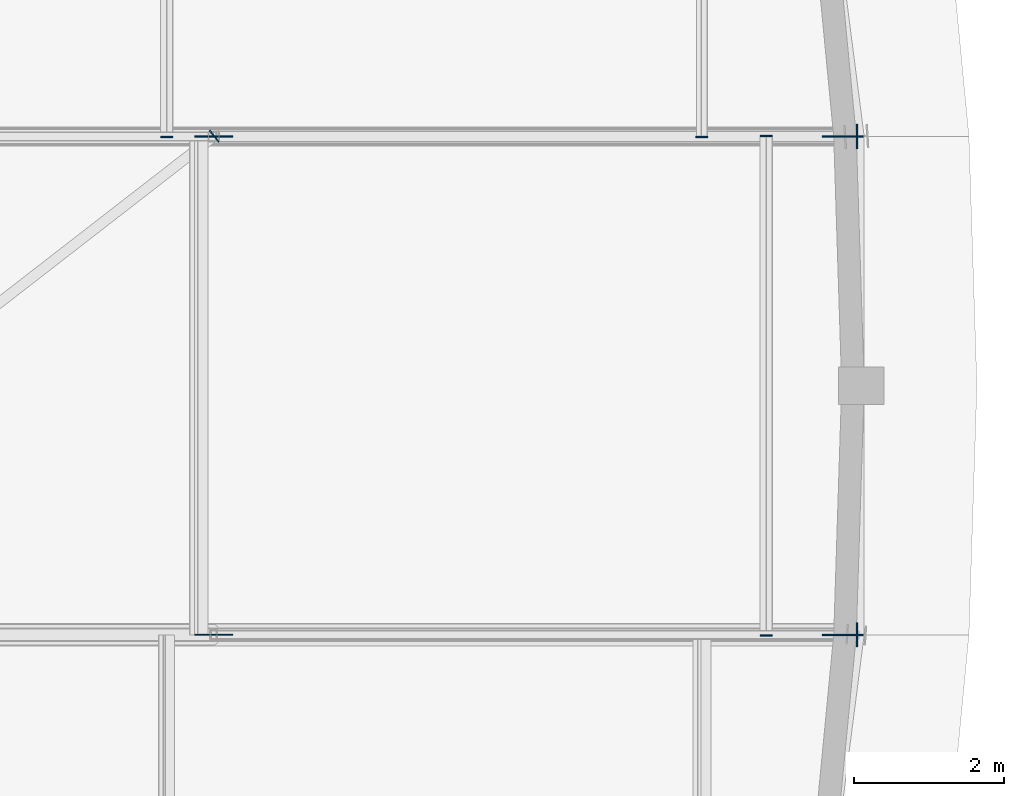
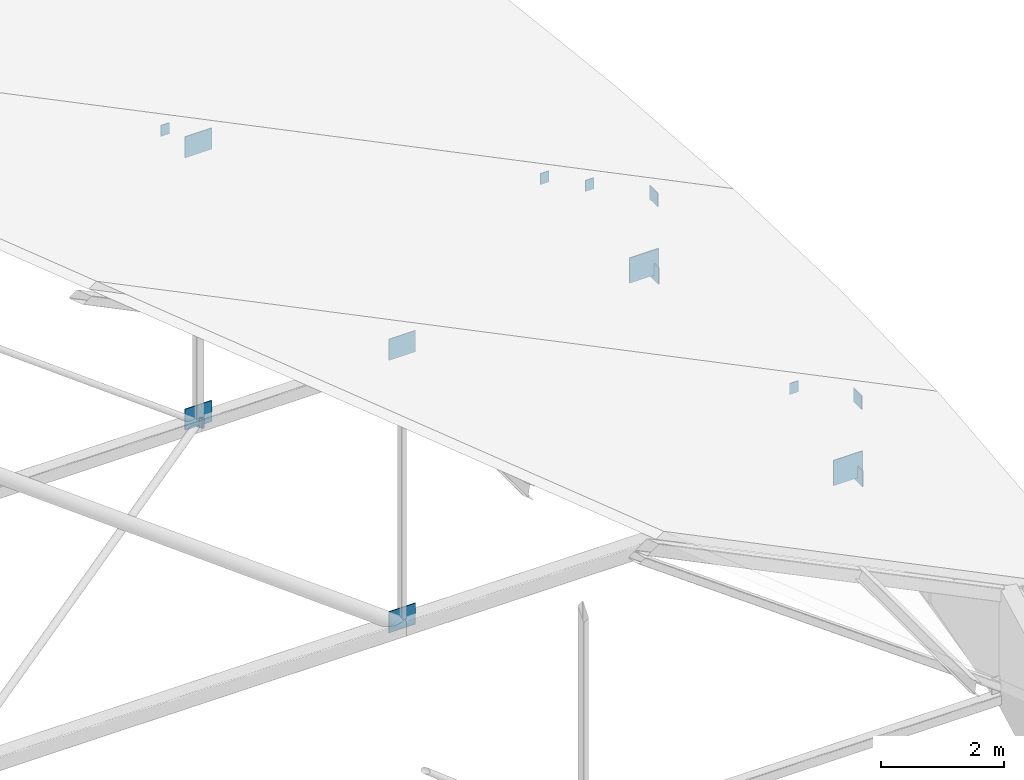
# One storey, part 55 of 78: 15 plates.
"""IFC4 building model written with IfcOpenShell, lengths in metres."""

from ifc_helpers import new_model, si_unit, direction, frame, origin, origin_2d, place, context, subcontext, project, spatial, rectangle, extrude, material, layer, layer_set, type_object, element, save


model = new_model("IFC4")

# Units and contexts
model_context = context("Model", 3, precision=1e-05, world=origin(), true_north=direction((0.0, 1.0)))
body_context = subcontext(model_context, "Body", "Model", "MODEL_VIEW")
ifc_project = project(units=[si_unit("LENGTHUNIT", "METRE"), si_unit("AREAUNIT", "SQUARE_METRE"), si_unit("VOLUMEUNIT", "CUBIC_METRE"), si_unit("PLANEANGLEUNIT", "RADIAN"), si_unit("MASSUNIT", "GRAM", prefix="KILO")], contexts=[model_context])

# Site, building, storey
site_placement = place(None, origin())
site = spatial("IfcSite", under=ifc_project, at=site_placement, CompositionType="ELEMENT")
building_placement = place(site_placement, origin())
building = spatial("IfcBuilding", under=site, at=building_placement, Name="Kelanivale Promenade Academy", CompositionType="ELEMENT")
storey_placement = place(building_placement, frame((0.0, 0.0, 16.199951171875)))
storey = spatial("IfcBuildingStorey", under=building, at=storey_placement, Name="L04", CompositionType="ELEMENT", Elevation=16.199951171875)

# Plates
ifc_material = material(Name="Steel S355", Category="steel")
ifc_layer_1 = layer(ifc_material, 0.01611328125)
ifc_layer_set_1 = layer_set([ifc_layer_1], Name="Steel S355")
plate_type_1 = type_object("IfcPlateType", Name="TN-CP16 Plate 16mm", PredefinedType="USERDEFINED", material=ifc_layer_set_1)
for number, where, z_axis, x_axis, name in (
    (1, (156.302001953125, 52.885986328125, 1.55908203125), (0.0, 0.0, 1.0), (1.0, 0.0, 0.0), "ROOF TRUSS TN-5 hollow-section end cap plate"),
    (2, (156.302001953125, 59.513916015625, 1.55908203125), (0.0, 0.0, 1.0), (1.0, 0.0, 0.0), "ROOF TRUSS TN-5 hollow-section end cap plate"),
):
    element("IfcPlate", number, at=place(storey_placement, frame(where, z_axis=z_axis, x_axis=x_axis)), inside=storey, type_object=plate_type_1, Name=name, ObjectType="CAP PLATE", PredefinedType="USERDEFINED", context=body_context, shape_type="SweptSolid", body=[
        extrude(rectangle(XDim=0.01611328125, YDim=0.27001953125, at=origin_2d()), origin(), (0.0, 0.0, 1.0), 0.27001953125),
    ])
for number, where, z_axis, x_axis, name in (
    (3, (155.093994140625, 52.8779296875, 2.23388671875), (0.0, 0.0, 1.0), (0.0, -1.0, 0.0), "ROOF TRUSS TN-4 hollow-section end cap plate"),
    (4, (155.093994140625, 59.52197265625, 2.23388671875), (0.0, 0.0, 1.0), (0.0, 1.0, 0.0), "ROOF TRUSS TN-4 hollow-section end cap plate"),
):
    element("IfcPlate", number, at=place(storey_placement, frame(where, z_axis=z_axis, x_axis=x_axis)), inside=storey, type_object=plate_type_1, Name=name, ObjectType="CAP PLATE", PredefinedType="USERDEFINED", context=body_context, shape_type="SweptSolid", body=[
        extrude(rectangle(XDim=0.01611328125, YDim=0.159912109375, at=origin_2d()), origin(), (0.0, 0.0, 1.0), 0.219970703125),
    ])
plate_placement = place(storey_placement, frame((147.7529296875, 59.51904296875, 0.10009765625), z_axis=(0.0, 0.0, 1.0), x_axis=(0.790261972801, 0.612769136253, 0.0)))
element("IfcPlate", 5, at=plate_placement, inside=storey, type_object=plate_type_1, Name="ROOF TRUSS TN-3 hollow-section end cap plate", ObjectType="CAP PLATE", PredefinedType="USERDEFINED", context=body_context, shape_type="SweptSolid", body=[
    extrude(rectangle(XDim=0.01611328125, YDim=0.199951171875, at=origin_2d()), origin(), (0.0, 0.0, 1.0), 0.199951171875),
])
for number, where, z_axis, x_axis, name in (
    (6, (147.1201171875, 59.506103515625, 6.1279296875), (0.0, 0.0, 1.0), (0.0, -1.0, 0.0), "ROOF TRUSS TN-4 hollow-section end cap plate"),
    (7, (154.240966796875, 59.506103515625, 2.67822265625), (0.0, 0.0, 1.0), (0.0, -1.0, 0.0), "ROOF TRUSS TN-4 hollow-section end cap plate"),
):
    element("IfcPlate", number, at=place(storey_placement, frame(where, z_axis=z_axis, x_axis=x_axis)), inside=storey, type_object=plate_type_1, Name=name, ObjectType="CAP PLATE", PredefinedType="USERDEFINED", context=body_context, shape_type="SweptSolid", body=[
        extrude(rectangle(XDim=0.01611328125, YDim=0.159912109375, at=origin_2d()), origin(), (0.0, 0.0, 1.0), 0.219970703125),
    ])
ifc_layer_2 = layer(ifc_material, 0.02001953125)
ifc_layer_set_2 = layer_set([ifc_layer_2], Name="Steel S355")
plate_type_2 = type_object("IfcPlateType", Name="TN-CP20 Plate 20mm", PredefinedType="USERDEFINED", material=ifc_layer_set_2)
for number, where, z_axis, x_axis, name in (
    (8, (156.303955078125, 52.885986328125, 0.0400390625), (0.0, 0.0, 1.0), (1.0, 0.0, 0.0), "ROOF TRUSS TN-5 hollow-section end cap plate"),
    (9, (156.303955078125, 59.513916015625, 0.0400390625), (0.0, 0.0, 1.0), (1.0, 0.0, 0.0), "ROOF TRUSS TN-5 hollow-section end cap plate"),
):
    element("IfcPlate", number, at=place(storey_placement, frame(where, z_axis=z_axis, x_axis=x_axis)), inside=storey, type_object=plate_type_2, Name=name, ObjectType="CAP PLATE", PredefinedType="USERDEFINED", context=body_context, shape_type="SweptSolid", body=[
        extrude(rectangle(XDim=0.02001953125, YDim=0.320068359375, at=origin_2d()), origin(), (0.0, 0.0, 1.0), 0.320068359375),
    ])
ifc_layer_3 = layer(ifc_material, 0.01611328125)
ifc_layer_set_3 = layer_set([ifc_layer_3], Name="Steel S355")
plate_type_3 = type_object("IfcPlateType", Name="TN-GP16 Plate 16mm", PredefinedType="USERDEFINED", material=ifc_layer_set_3)
for number, where, z_axis, x_axis, name in (
    (10, (147.7470703125, 52.885986328125, 0.130126953125), (0.0, 0.0, 1.0), (1.0, 0.0, 0.0), "ROOF TRUSS TN-3E welded node gusset plate"),
    (11, (147.7470703125, 52.885986328125, 5.5380859375), (0.0, 0.0, 1.0), (1.0, 0.0, 0.0), "ROOF TRUSS TN-4E welded node gusset plate"),
    (12, (147.7470703125, 59.513916015625, 0.130126953125), (0.0, 0.0, 1.0), (1.0, 0.0, 0.0), "ROOF TRUSS TN-3E welded node gusset plate"),
    (13, (147.7470703125, 59.513916015625, 5.5380859375), (0.0, 0.0, 1.0), (1.0, 0.0, 0.0), "ROOF TRUSS TN-4E welded node gusset plate"),
):
    element("IfcPlate", number, at=place(storey_placement, frame(where, z_axis=z_axis, x_axis=x_axis)), inside=storey, type_object=plate_type_3, Name=name, ObjectType="GUSSET PLATE", PredefinedType="USERDEFINED", context=body_context, shape_type="SweptSolid", body=[
        extrude(rectangle(XDim=0.5, YDim=0.01611328125, at=origin_2d()), origin(), (0.0, 0.0, 1.0), 0.419921875),
    ])
ifc_layer_4 = layer(ifc_material, 0.02001953125)
ifc_layer_set_4 = layer_set([ifc_layer_4], Name="Steel S355")
plate_type_4 = type_object("IfcPlateType", Name="TN-GP20 Plate 20mm", PredefinedType="USERDEFINED", material=ifc_layer_set_4)
for number, where, z_axis, x_axis, name in (
    (14, (156.114013671875, 52.885986328125, 0.130126953125), (0.0, 0.0, 1.0), (1.0, 0.0, 0.0), "ROOF TRUSS TN-5 welded node gusset plate"),
    (15, (156.114013671875, 59.513916015625, 0.130126953125), (0.0, 0.0, 1.0), (1.0, 0.0, 0.0), "ROOF TRUSS TN-5 welded node gusset plate"),
):
    element("IfcPlate", number, at=place(storey_placement, frame(where, z_axis=z_axis, x_axis=x_axis)), inside=storey, type_object=plate_type_4, Name=name, ObjectType="GUSSET PLATE", PredefinedType="USERDEFINED", context=body_context, shape_type="SweptSolid", body=[
        extrude(rectangle(XDim=0.550048828125, YDim=0.02001953125, at=origin_2d()), origin(), (0.0, 0.0, 1.0), 0.5),
    ])

save(model, "model.ifc")
